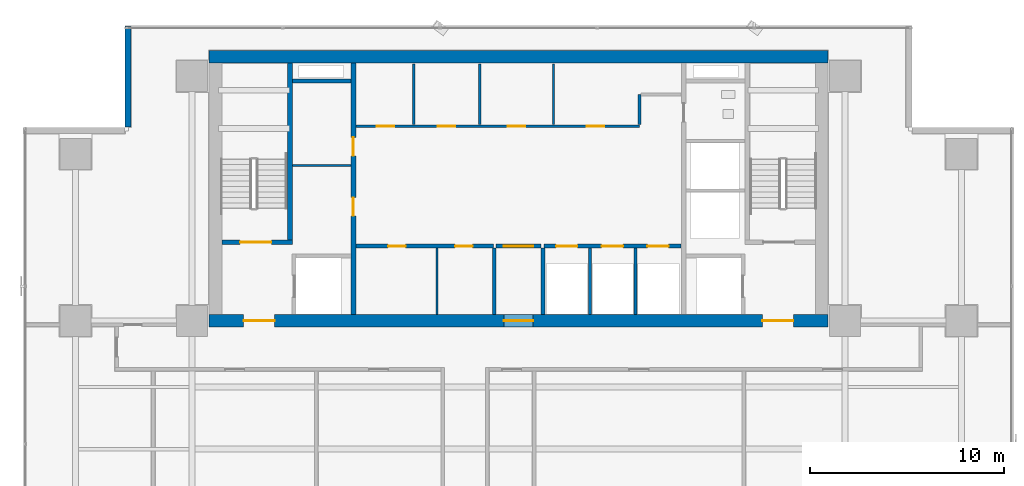
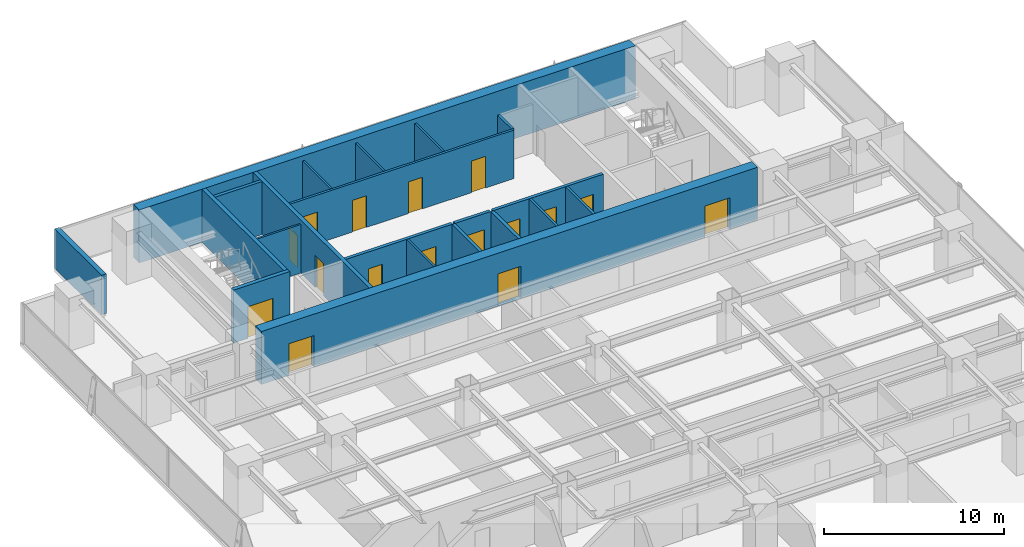
# One storey, part 29 of 36: 21 walls, 16 doors, 16 openings.
"""IFC4 building model written with IfcOpenShell, lengths in metres."""

from ifc_helpers import new_model, si_unit, direction, frame, frame_2d, origin, place, context, subcontext, project, spatial, rectangle, extrude, source, transform, mapped, material, layer, layer_set, type_object, element, fill, save


model = new_model("IFC4")

# Units and contexts
model_context = context("Model", 3, precision=1e-05, world=origin(), true_north=direction((0.0, 1.0)))
body_context = subcontext(model_context, "Body", "Model", "MODEL_VIEW")
ifc_project = project(units=[si_unit("LENGTHUNIT", "METRE"), si_unit("AREAUNIT", "SQUARE_METRE"), si_unit("VOLUMEUNIT", "CUBIC_METRE"), si_unit("PLANEANGLEUNIT", "RADIAN"), si_unit("MASSUNIT", "GRAM", prefix="KILO")], contexts=[model_context])

# Site, building, storey
site_placement = place(None, origin())
site = spatial("IfcSite", under=ifc_project, at=site_placement, CompositionType="ELEMENT")
building_placement = place(site_placement, origin())
building = spatial("IfcBuilding", under=site, at=building_placement, Name="Sumidabori Civic Tower", CompositionType="ELEMENT")
storey_placement = place(building_placement, frame((0.0, 0.0, 120.800048828125)))
storey = spatial("IfcBuildingStorey", under=building, at=storey_placement, Name="L31", CompositionType="ELEMENT", Elevation=120.800048828125)

# Walls
ifc_material_1 = material(Name="Concrete C50/60", Category="concrete")
ifc_layer_1 = layer(ifc_material_1, 0.199951171875, Name="Concrete C50/60")
ifc_layer_set_1 = layer_set([ifc_layer_1], Name="Concrete C50/60")
wall_type_1 = type_object("IfcWallType", Name="WL-SHAFT-200", PredefinedType="SHEAR", material=ifc_layer_set_1)
shared_shape_1 = source(origin(), body_context, "Body", "SweptSolid", [
    extrude(rectangle(XDim=3.02001953125, YDim=0.199951171875, at=frame_2d((1.510009765625, 0.0))), origin(), (0.0, 0.0, 1.0), 3.599853515625),
])
wall_1_placement = place(storey_placement, frame((-11.64501953125, 22.550048828125, 0.0), z_axis=(0.0, 0.0, 1.0), x_axis=(1.0, 0.0, 0.0)))
element("IfcWall", 1, at=wall_1_placement, inside=storey, type_object=wall_type_1, Name="Core Shear Wall L31 RIS1-S", PredefinedType="SHEAR", context=body_context, shape_type="MappedRepresentation", body=[
    mapped(shared_shape_1, transform((0.0, 0.0, 0.0), x_axis=(1.0, 0.0, 0.0), y_axis=(0.0, 1.0, 0.0), z_axis=(0.0, 0.0, 1.0), scale=1.0)),
])
ifc_material_2 = material(Name="Concrete C60/75", Category="concrete")
ifc_layer_2 = layer(ifc_material_2, 0.64990234375, Name="Concrete C60/75")
ifc_layer_set_2 = layer_set([ifc_layer_2], Name="Concrete C60/75")
wall_type_2 = type_object("IfcWallType", Name="WL-CORE-650", PredefinedType="SHEAR", material=ifc_layer_set_2)
shared_shape_2 = source(origin(), body_context, "Body", "SweptSolid", [
    extrude(rectangle(XDim=31.85009765625, YDim=0.64990234375, at=frame_2d((15.925048828125, 0.0))), origin(), (0.0, 0.0, 1.0), 3.599853515625),
])
wall_2_placement = place(storey_placement, frame((-15.925048828125, 23.800048828125, 0.0), z_axis=(0.0, 0.0, 1.0), x_axis=(1.0, 0.0, 0.0)))
element("IfcWall", 2, at=wall_2_placement, inside=storey, type_object=wall_type_2, Name="Core Shear Wall L31 N", PredefinedType="SHEAR", context=body_context, shape_type="MappedRepresentation", body=[
    mapped(shared_shape_2, transform((0.0, 0.0, 0.0), x_axis=(1.0, 0.0, 0.0), y_axis=(0.0, 1.0, 0.0), z_axis=(0.0, 0.0, 1.0), scale=1.0)),
])

# Wall, openings, doors
wall_3_placement = place(storey_placement, frame((-15.925048828125, 10.199951171875, 0.0), z_axis=(0.0, 0.0, 1.0), x_axis=(1.0, 0.0, 0.0)))
wall_3 = element("IfcWall", 3, at=wall_3_placement, inside=storey, type_object=wall_type_2, Name="Core Shear Wall L31 S", PredefinedType="SHEAR", context=body_context, shape_type="MappedRepresentation", body=[
    mapped(shared_shape_2, transform((0.0, 0.0, 0.0), x_axis=(1.0, 0.0, 0.0), y_axis=(0.0, 1.0, 0.0), z_axis=(0.0, 0.0, 1.0), scale=1.0)),
])
opening_1_placement = place(wall_3_placement, frame((1.77490234375, 0.0, 0.0)))
opening_1 = element("IfcOpeningElement", 4, at=opening_1_placement, cuts=wall_3, Name="Opening DR-FD4", PredefinedType="OPENING", context=body_context, shape_type="SweptSolid", body=[
    extrude(rectangle(XDim=1.60009765625, YDim=2.14990234375, at=frame_2d((0.800048828125, 1.074951171875))), frame((0.0, 0.3369140625, 0.0), z_axis=(0.0, -1.0, 0.0), x_axis=(1.0, 0.0, 0.0)), (0.0, 0.0, 1.0), 0.673828125),
])
opening_2_placement = place(wall_3_placement, frame((28.47509765625, 0.0, 0.0)))
opening_2 = element("IfcOpeningElement", 5, at=opening_2_placement, cuts=wall_3, Name="Opening DR-FD4", PredefinedType="OPENING", context=body_context, shape_type="SweptSolid", body=[
    extrude(rectangle(XDim=1.60009765625, YDim=2.14990234375, at=frame_2d((0.800048828125, 1.074951171875))), frame((0.0, 0.3369140625, 0.0), z_axis=(0.0, -1.0, 0.0), x_axis=(1.0, 0.0, 0.0)), (0.0, 0.0, 1.0), 0.673828125),
])
opening_3_placement = place(wall_3_placement, frame((15.175048828125, 0.0, 0.0)))
opening_3 = element("IfcOpeningElement", 6, at=opening_3_placement, cuts=wall_3, Name="Opening DR-FD3", PredefinedType="OPENING", context=body_context, shape_type="SweptSolid", body=[
    extrude(rectangle(XDim=1.5, YDim=2.199951171875, at=frame_2d((0.75, 1.10009765625))), frame((0.0, 0.3369140625, 0.0), z_axis=(0.0, -1.0, 0.0), x_axis=(1.0, 0.0, 0.0)), (0.0, 0.0, 1.0), 0.673828125),
])
ifc_material_3 = material(Name="Steel SN490", Category="steel")
door_type_1 = type_object("IfcDoorType", Name="DR-FD4", OperationType="DOUBLE_DOOR_SINGLE_SWING", PredefinedType="DOOR", material=ifc_material_3)
shared_shape_3 = source(origin(), body_context, "Body", "SweptSolid", [
    extrude(rectangle(XDim=1.60009765625, YDim=2.14990234375, at=frame_2d((0.800048828125, 1.074951171875))), frame((0.0, 0.02490234375, 0.0), z_axis=(0.0, -1.0, 0.0), x_axis=(1.0, 0.0, 0.0)), (0.0, 0.0, 1.0), 0.050048828125),
])
door_1_placement = place(opening_1_placement, origin())
door_1 = element("IfcDoor", 7, at=door_1_placement, inside=storey, type_object=door_type_1, Name="Door DR:L31:ELOB-W", OperationType="DOUBLE_DOOR_SINGLE_SWING", OverallHeight=2.14990234375, OverallWidth=1.60009765625, PredefinedType="DOOR", context=body_context, shape_type="MappedRepresentation", body=[
    mapped(shared_shape_3, transform((0.0, 0.0, 0.0), x_axis=(1.0, 0.0, 0.0), y_axis=(0.0, 1.0, 0.0), z_axis=(0.0, 0.0, 1.0), scale=1.0)),
])
fill(opening_1, door_1)
door_2_placement = place(opening_2_placement, origin())
door_2 = element("IfcDoor", 8, at=door_2_placement, inside=storey, type_object=door_type_1, Name="Door DR:L31:ELOB-E", OperationType="DOUBLE_DOOR_SINGLE_SWING", OverallHeight=2.14990234375, OverallWidth=1.60009765625, PredefinedType="DOOR", context=body_context, shape_type="MappedRepresentation", body=[
    mapped(shared_shape_3, transform((0.0, 0.0, 0.0), x_axis=(1.0, 0.0, 0.0), y_axis=(0.0, 1.0, 0.0), z_axis=(0.0, 0.0, 1.0), scale=1.0)),
])
fill(opening_2, door_2)
door_type_2 = type_object("IfcDoorType", Name="DR-FD-DBL", OperationType="DOUBLE_DOOR_SINGLE_SWING", PredefinedType="DOOR", material=ifc_material_3)
shared_shape_4 = source(origin(), body_context, "Body", "SweptSolid", [
    extrude(rectangle(XDim=1.5, YDim=2.199951171875, at=frame_2d((0.75, 1.10009765625))), frame((0.0, 0.02490234375, 0.0), z_axis=(0.0, -1.0, 0.0), x_axis=(1.0, 0.0, 0.0)), (0.0, 0.0, 1.0), 0.050048828125),
])
door_3_placement = place(opening_3_placement, origin())
door_3 = element("IfcDoor", 9, at=door_3_placement, inside=storey, type_object=door_type_2, Name="Door DR:L31:THROAT-OUT", OperationType="DOUBLE_DOOR_SINGLE_SWING", OverallHeight=2.199951171875, OverallWidth=1.5, PredefinedType="DOOR", context=body_context, shape_type="MappedRepresentation", body=[
    mapped(shared_shape_4, transform((0.0, 0.0, 0.0), x_axis=(1.0, 0.0, 0.0), y_axis=(0.0, 1.0, 0.0), z_axis=(0.0, 0.0, 1.0), scale=1.0)),
])
fill(opening_3, door_3)

ifc_layer_3 = layer(ifc_material_1, 0.25, Name="Concrete C50/60")
ifc_layer_set_3 = layer_set([ifc_layer_3], Name="Concrete C50/60")
wall_type_3 = type_object("IfcWallType", Name="WL-SHAFT-250", PredefinedType="SHEAR", material=ifc_layer_set_3)
shared_shape_5 = source(origin(), body_context, "Body", "SweptSolid", [
    extrude(rectangle(XDim=12.9501953125, YDim=0.25, at=frame_2d((6.47509765625, 0.0))), origin(), (0.0, 0.0, 1.0), 3.599853515625),
])
wall_4_placement = place(storey_placement, frame((-8.5, 10.52490234375, 0.0), z_axis=(0.0, 0.0, 1.0), x_axis=(0.0, 1.0, 0.0)))
wall_4 = element("IfcWall", 10, at=wall_4_placement, inside=storey, type_object=wall_type_3, Name="Core Shear Wall L31 WEB-W", PredefinedType="SHEAR", context=body_context, shape_type="MappedRepresentation", body=[
    mapped(shared_shape_5, transform((0.0, 0.0, 0.0), x_axis=(1.0, 0.0, 0.0), y_axis=(0.0, 1.0, 0.0), z_axis=(0.0, 0.0, 1.0), scale=1.0)),
])
opening_4_placement = place(wall_4_placement, frame((5.074951171875, 0.0, 0.0)))
opening_4 = element("IfcOpeningElement", 11, at=opening_4_placement, cuts=wall_4, Name="Opening DR-FD2", PredefinedType="OPENING", context=body_context, shape_type="SweptSolid", body=[
    extrude(rectangle(XDim=0.949951171875, YDim=2.14990234375, at=frame_2d((0.47509765625, 1.074951171875))), frame((0.0, 0.136962890625, 0.0), z_axis=(0.0, -1.0, 0.0), x_axis=(1.0, 0.0, 0.0)), (0.0, 0.0, 1.0), 0.27392578125),
])
opening_5_placement = place(wall_4_placement, frame((8.175048828125, 0.0, 0.0)))
opening_5 = element("IfcOpeningElement", 12, at=opening_5_placement, cuts=wall_4, Name="Opening DR-FD2", PredefinedType="OPENING", context=body_context, shape_type="SweptSolid", body=[
    extrude(rectangle(XDim=0.949951171875, YDim=2.14990234375, at=frame_2d((0.47509765625, 1.074951171875))), frame((0.0, 0.136962890625, 0.0), z_axis=(0.0, -1.0, 0.0), x_axis=(1.0, 0.0, 0.0)), (0.0, 0.0, 1.0), 0.27392578125),
])
door_type_3 = type_object("IfcDoorType", Name="DR-FD2", OperationType="NOTDEFINED", PredefinedType="DOOR", material=ifc_material_3)
shared_shape_6 = source(origin(), body_context, "Body", "SweptSolid", [
    extrude(rectangle(XDim=0.949951171875, YDim=2.14990234375, at=frame_2d((0.47509765625, 1.074951171875))), frame((0.0, 0.02490234375, 0.0), z_axis=(0.0, -1.0, 0.0), x_axis=(1.0, 0.0, 0.0)), (0.0, 0.0, 1.0), 0.050048828125),
])
door_4_placement = place(opening_4_placement, origin())
door_4 = element("IfcDoor", 13, at=door_4_placement, inside=storey, type_object=door_type_3, Name="Door DR:L31:CW-S1", OperationType="SINGLE_SWING_LEFT", OverallHeight=2.14990234375, OverallWidth=0.949951171875, PredefinedType="DOOR", context=body_context, shape_type="MappedRepresentation", body=[
    mapped(shared_shape_6, transform((0.0, 0.0, 0.0), x_axis=(1.0, 0.0, 0.0), y_axis=(0.0, 1.0, 0.0), z_axis=(0.0, 0.0, 1.0), scale=1.0)),
])
fill(opening_4, door_4)
door_5_placement = place(opening_5_placement, origin())
door_5 = element("IfcDoor", 14, at=door_5_placement, inside=storey, type_object=door_type_3, Name="Door DR:L31:CW-S2", OperationType="SINGLE_SWING_RIGHT", OverallHeight=2.14990234375, OverallWidth=0.949951171875, PredefinedType="DOOR", context=body_context, shape_type="MappedRepresentation", body=[
    mapped(shared_shape_6, transform((0.0, 0.0, 0.0), x_axis=(1.0, 0.0, 0.0), y_axis=(0.0, 1.0, 0.0), z_axis=(0.0, 0.0, 1.0), scale=1.0)),
])
fill(opening_5, door_5)

# Wall, opening, door
shared_shape_7 = source(origin(), body_context, "Body", "SweptSolid", [
    extrude(rectangle(XDim=3.6298828125, YDim=0.25, at=frame_2d((1.81494140625, 0.0))), origin(), (0.0, 0.0, 1.0), 3.599853515625),
])
wall_5_placement = place(storey_placement, frame((-15.27490234375, 14.25, 0.0), z_axis=(0.0, 0.0, 1.0), x_axis=(1.0, 0.0, 0.0)))
wall_5 = element("IfcWall", 15, at=wall_5_placement, inside=storey, type_object=wall_type_3, Name="Core Shear Wall L31 ST1-S", PredefinedType="SHEAR", context=body_context, shape_type="MappedRepresentation", body=[
    mapped(shared_shape_7, transform((0.0, 0.0, 0.0), x_axis=(1.0, 0.0, 0.0), y_axis=(0.0, 1.0, 0.0), z_axis=(0.0, 0.0, 1.0), scale=1.0)),
])
opening_6_placement = place(wall_5_placement, frame((0.949951171875, 0.0, 0.0)))
opening_6 = element("IfcOpeningElement", 16, at=opening_6_placement, cuts=wall_5, Name="Opening DR-FD4", PredefinedType="OPENING", context=body_context, shape_type="SweptSolid", body=[
    extrude(rectangle(XDim=1.60009765625, YDim=2.14990234375, at=frame_2d((0.800048828125, 1.074951171875))), frame((0.0, 0.136962890625, 0.0), z_axis=(0.0, -1.0, 0.0), x_axis=(1.0, 0.0, 0.0)), (0.0, 0.0, 1.0), 0.27392578125),
])
door_6_placement = place(opening_6_placement, origin())
door_6 = element("IfcDoor", 17, at=door_6_placement, inside=storey, type_object=door_type_1, Name="Door DR:L31:ST1", OperationType="DOUBLE_DOOR_SINGLE_SWING", OverallHeight=2.14990234375, OverallWidth=1.60009765625, PredefinedType="DOOR", context=body_context, shape_type="MappedRepresentation", body=[
    mapped(shared_shape_3, transform((0.0, 0.0, 0.0), x_axis=(1.0, 0.0, 0.0), y_axis=(0.0, 1.0, 0.0), z_axis=(0.0, 0.0, 1.0), scale=1.0)),
])
fill(opening_6, door_6)

# Walls
shared_shape_8 = source(origin(), body_context, "Body", "SweptSolid", [
    extrude(rectangle(XDim=9.10009765625, YDim=0.25, at=frame_2d((4.550048828125, 0.0))), origin(), (0.0, 0.0, 1.0), 3.599853515625),
])
wall_6_placement = place(storey_placement, frame((-11.77001953125, 14.375, 0.0), z_axis=(0.0, 0.0, 1.0), x_axis=(0.0, 1.0, 0.0)))
element("IfcWall", 18, at=wall_6_placement, inside=storey, type_object=wall_type_3, Name="Core Shear Wall L31 ST1-E", PredefinedType="SHEAR", context=body_context, shape_type="MappedRepresentation", body=[
    mapped(shared_shape_8, transform((0.0, 0.0, 0.0), x_axis=(1.0, 0.0, 0.0), y_axis=(0.0, 1.0, 0.0), z_axis=(0.0, 0.0, 1.0), scale=1.0)),
])
ifc_material_4 = material(Name="Precast concrete C40/50", Category="concrete")
ifc_layer_4 = layer(ifc_material_4, 0.300048828125, Name="Precast concrete C40/50")
ifc_layer_set_4 = layer_set([ifc_layer_4], Name="Precast concrete C40/50")
wall_type_4 = type_object("IfcWallType", Name="WL-EXT-POD300", PredefinedType="STANDARD", material=ifc_layer_set_4)
shared_shape_9 = source(origin(), body_context, "Body", "SweptSolid", [
    extrude(rectangle(XDim=5.2099609375, YDim=0.300048828125, at=frame_2d((2.60498046875, 0.0))), origin(), (0.0, 0.0, 1.0), 2.679931640625),
])
wall_7_placement = place(storey_placement, frame((-20.10009765625, 25.3798828125, 0.0), z_axis=(0.0, 0.0, 1.0), x_axis=(0.0, -1.0, 0.0)))
element("IfcWall", 19, at=wall_7_placement, inside=storey, type_object=wall_type_4, Name="Notched Corner Spandrel Band L31-08", PredefinedType="STANDARD", context=body_context, shape_type="MappedRepresentation", body=[
    mapped(shared_shape_9, transform((0.0, 0.0, 0.0), x_axis=(1.0, 0.0, 0.0), y_axis=(0.0, 1.0, 0.0), z_axis=(0.0, 0.0, 1.0), scale=1.0)),
])

# Wall, openings, doors
ifc_material_5 = material(Name="Gypsum Plasterboard Fire Partition")
ifc_layer_5 = layer(ifc_material_5, 0.199951171875, Name="Gypsum Plasterboard Fire Partition")
ifc_layer_set_5 = layer_set([ifc_layer_5], Name="Gypsum Plasterboard Fire Partition")
wall_type_5 = type_object("IfcWallType", Name="WL-PART-FIRE", PredefinedType="PARTITIONING", material=ifc_layer_set_5)
shared_shape_10 = source(origin(), body_context, "Body", "SweptSolid", [
    extrude(rectangle(XDim=7.070068359375, YDim=0.199951171875, at=frame_2d((3.53515625, 0.0))), origin(), (0.0, 0.0, 1.0), 3.300048828125),
])
wall_8_placement = place(storey_placement, frame((-8.3701171875, 14.050048828125, 0.0), z_axis=(0.0, 0.0, 1.0), x_axis=(1.0, 0.0, 0.0)))
wall_8 = element("IfcWall", 20, at=wall_8_placement, inside=storey, type_object=wall_type_5, Name="Interior Partition WL:L31:CBAND-SW", PredefinedType="PARTITIONING", context=body_context, shape_type="MappedRepresentation", body=[
    mapped(shared_shape_10, transform((0.0, 0.0, 0.0), x_axis=(1.0, 0.0, 0.0), y_axis=(0.0, 1.0, 0.0), z_axis=(0.0, 0.0, 1.0), scale=1.0)),
])
opening_7_placement = place(wall_8_placement, frame((1.659912109375, 0.0, 0.0)))
opening_7 = element("IfcOpeningElement", 21, at=opening_7_placement, cuts=wall_8, Name="Opening DR-1", PredefinedType="OPENING", context=body_context, shape_type="SweptSolid", body=[
    extrude(rectangle(XDim=0.89990234375, YDim=2.14990234375, at=frame_2d((0.449951171875, 1.074951171875))), frame((0.0, 0.11181640625, 0.0), z_axis=(0.0, -1.0, 0.0), x_axis=(1.0, 0.0, 0.0)), (0.0, 0.0, 1.0), 0.223876953125),
])
opening_8_placement = place(wall_8_placement, frame((5.110107421875, 0.0, 0.0)))
opening_8 = element("IfcOpeningElement", 22, at=opening_8_placement, cuts=wall_8, Name="Opening DR-1", PredefinedType="OPENING", context=body_context, shape_type="SweptSolid", body=[
    extrude(rectangle(XDim=0.89990234375, YDim=2.14990234375, at=frame_2d((0.449951171875, 1.074951171875))), frame((0.0, 0.11181640625, 0.0), z_axis=(0.0, -1.0, 0.0), x_axis=(1.0, 0.0, 0.0)), (0.0, 0.0, 1.0), 0.223876953125),
])
ifc_material_6 = material(Name="Japanese Hinoki Timber", Category="wood")
door_type_4 = type_object("IfcDoorType", Name="DR-INT-900", OperationType="NOTDEFINED", PredefinedType="DOOR", material=ifc_material_6)
shared_shape_11 = source(origin(), body_context, "Body", "SweptSolid", [
    extrude(rectangle(XDim=0.89990234375, YDim=2.14990234375, at=frame_2d((0.449951171875, 1.074951171875))), frame((0.0, 0.02490234375, 0.0), z_axis=(0.0, -1.0, 0.0), x_axis=(1.0, 0.0, 0.0)), (0.0, 0.0, 1.0), 0.050048828125),
])
door_7_placement = place(opening_7_placement, origin())
door_7 = element("IfcDoor", 23, at=door_7_placement, inside=storey, type_object=door_type_4, Name="Door DR:L31:REC-B1A", OperationType="SINGLE_SWING_LEFT", OverallHeight=2.14990234375, OverallWidth=0.89990234375, PredefinedType="DOOR", context=body_context, shape_type="MappedRepresentation", body=[
    mapped(shared_shape_11, transform((0.0, 0.0, 0.0), x_axis=(1.0, 0.0, 0.0), y_axis=(0.0, 1.0, 0.0), z_axis=(0.0, 0.0, 1.0), scale=1.0)),
])
fill(opening_7, door_7)
door_8_placement = place(opening_8_placement, origin())
door_8 = element("IfcDoor", 24, at=door_8_placement, inside=storey, type_object=door_type_4, Name="Door DR:L31:REC-B1B", OperationType="SINGLE_SWING_RIGHT", OverallHeight=2.14990234375, OverallWidth=0.89990234375, PredefinedType="DOOR", context=body_context, shape_type="MappedRepresentation", body=[
    mapped(shared_shape_11, transform((0.0, 0.0, 0.0), x_axis=(1.0, 0.0, 0.0), y_axis=(0.0, 1.0, 0.0), z_axis=(0.0, 0.0, 1.0), scale=1.0)),
])
fill(opening_8, door_8)

wall_9_placement = place(storey_placement, frame((1.300048828125, 14.050048828125, 0.0), z_axis=(0.0, 0.0, 1.0), x_axis=(1.0, 0.0, 0.0)))
wall_9 = element("IfcWall", 25, at=wall_9_placement, inside=storey, type_object=wall_type_5, Name="Interior Partition WL:L31:CBAND-SE", PredefinedType="PARTITIONING", context=body_context, shape_type="MappedRepresentation", body=[
    mapped(shared_shape_10, transform((0.0, 0.0, 0.0), x_axis=(1.0, 0.0, 0.0), y_axis=(0.0, 1.0, 0.0), z_axis=(0.0, 0.0, 1.0), scale=1.0)),
])
opening_9_placement = place(wall_9_placement, frame((0.6298828125, 0.0, 0.0)))
opening_9 = element("IfcOpeningElement", 26, at=opening_9_placement, cuts=wall_9, Name="Opening LD-1", PredefinedType="OPENING", context=body_context, shape_type="SweptSolid", body=[
    extrude(rectangle(XDim=1.10009765625, YDim=2.14990234375, at=frame_2d((0.550048828125, 1.074951171875))), frame((0.0, 0.11181640625, 0.0), z_axis=(0.0, -1.0, 0.0), x_axis=(1.0, 0.0, 0.0)), (0.0, 0.0, 1.0), 0.223876953125),
])
opening_10_placement = place(wall_9_placement, frame((2.97998046875, 0.0, 0.0)))
opening_10 = element("IfcOpeningElement", 27, at=opening_10_placement, cuts=wall_9, Name="Opening LD-1", PredefinedType="OPENING", context=body_context, shape_type="SweptSolid", body=[
    extrude(rectangle(XDim=1.10009765625, YDim=2.14990234375, at=frame_2d((0.550048828125, 1.074951171875))), frame((0.0, 0.11181640625, 0.0), z_axis=(0.0, -1.0, 0.0), x_axis=(1.0, 0.0, 0.0)), (0.0, 0.0, 1.0), 0.223876953125),
])
opening_11_placement = place(wall_9_placement, frame((5.330078125, 0.0, 0.0)))
opening_11 = element("IfcOpeningElement", 28, at=opening_11_placement, cuts=wall_9, Name="Opening LD-1", PredefinedType="OPENING", context=body_context, shape_type="SweptSolid", body=[
    extrude(rectangle(XDim=1.10009765625, YDim=2.14990234375, at=frame_2d((0.550048828125, 1.074951171875))), frame((0.0, 0.11181640625, 0.0), z_axis=(0.0, -1.0, 0.0), x_axis=(1.0, 0.0, 0.0)), (0.0, 0.0, 1.0), 0.223876953125),
])
ifc_material_7 = material(Name="Stainless Steel Hairline Finish", Category="steel")
door_type_5 = type_object("IfcDoorType", Name="DR-LD1", OperationType="DOUBLE_DOOR_SLIDING", PredefinedType="DOOR", material=ifc_material_7)
shared_shape_12 = source(origin(), body_context, "Body", "SweptSolid", [
    extrude(rectangle(XDim=1.10009765625, YDim=2.14990234375, at=frame_2d((0.550048828125, 1.074951171875))), frame((0.0, 0.02490234375, 0.0), z_axis=(0.0, -1.0, 0.0), x_axis=(1.0, 0.0, 0.0)), (0.0, 0.0, 1.0), 0.050048828125),
])
door_9_placement = place(opening_9_placement, origin())
door_9 = element("IfcDoor", 29, at=door_9_placement, inside=storey, type_object=door_type_5, Name="Door DR:L31:LD-PLM1", OperationType="DOUBLE_DOOR_SLIDING", OverallHeight=2.14990234375, OverallWidth=1.10009765625, PredefinedType="DOOR", context=body_context, shape_type="MappedRepresentation", body=[
    mapped(shared_shape_12, transform((0.0, 0.0, 0.0), x_axis=(1.0, 0.0, 0.0), y_axis=(0.0, 1.0, 0.0), z_axis=(0.0, 0.0, 1.0), scale=1.0)),
])
fill(opening_9, door_9)
door_10_placement = place(opening_10_placement, origin())
door_10 = element("IfcDoor", 30, at=door_10_placement, inside=storey, type_object=door_type_5, Name="Door DR:L31:LD-PLM2", OperationType="DOUBLE_DOOR_SLIDING", OverallHeight=2.14990234375, OverallWidth=1.10009765625, PredefinedType="DOOR", context=body_context, shape_type="MappedRepresentation", body=[
    mapped(shared_shape_12, transform((0.0, 0.0, 0.0), x_axis=(1.0, 0.0, 0.0), y_axis=(0.0, 1.0, 0.0), z_axis=(0.0, 0.0, 1.0), scale=1.0)),
])
fill(opening_10, door_10)
door_11_placement = place(opening_11_placement, origin())
door_11 = element("IfcDoor", 31, at=door_11_placement, inside=storey, type_object=door_type_5, Name="Door DR:L31:LD-PLM3", OperationType="DOUBLE_DOOR_SLIDING", OverallHeight=2.14990234375, OverallWidth=1.10009765625, PredefinedType="DOOR", context=body_context, shape_type="MappedRepresentation", body=[
    mapped(shared_shape_12, transform((0.0, 0.0, 0.0), x_axis=(1.0, 0.0, 0.0), y_axis=(0.0, 1.0, 0.0), z_axis=(0.0, 0.0, 1.0), scale=1.0)),
])
fill(opening_11, door_11)

# Wall, opening, door
shared_shape_13 = source(origin(), body_context, "Body", "SweptSolid", [
    extrude(rectangle(XDim=2.2998046875, YDim=0.199951171875, at=frame_2d((1.14990234375, 0.0))), origin(), (0.0, 0.0, 1.0), 3.300048828125),
])
wall_10_placement = place(storey_placement, frame((-1.14990234375, 14.050048828125, 0.0), z_axis=(0.0, 0.0, 1.0), x_axis=(1.0, 0.0, 0.0)))
wall_10 = element("IfcWall", 32, at=wall_10_placement, inside=storey, type_object=wall_type_5, Name="Interior Partition WL:L31:THROAT-N", PredefinedType="PARTITIONING", context=body_context, shape_type="MappedRepresentation", body=[
    mapped(shared_shape_13, transform((0.0, 0.0, 0.0), x_axis=(1.0, 0.0, 0.0), y_axis=(0.0, 1.0, 0.0), z_axis=(0.0, 0.0, 1.0), scale=1.0)),
])
opening_12_placement = place(wall_10_placement, frame((0.39990234375, 0.0, 0.0)))
opening_12 = element("IfcOpeningElement", 33, at=opening_12_placement, cuts=wall_10, Name="Opening DR-FD3", PredefinedType="OPENING", context=body_context, shape_type="SweptSolid", body=[
    extrude(rectangle(XDim=1.5, YDim=2.199951171875, at=frame_2d((0.75, 1.10009765625))), frame((0.0, 0.11181640625, 0.0), z_axis=(0.0, -1.0, 0.0), x_axis=(1.0, 0.0, 0.0)), (0.0, 0.0, 1.0), 0.223876953125),
])
door_12_placement = place(opening_12_placement, origin())
door_12 = element("IfcDoor", 34, at=door_12_placement, inside=storey, type_object=door_type_2, Name="Door DR:L31:THROAT-IN", OperationType="DOUBLE_DOOR_SINGLE_SWING", OverallHeight=2.199951171875, OverallWidth=1.5, PredefinedType="DOOR", context=body_context, shape_type="MappedRepresentation", body=[
    mapped(shared_shape_4, transform((0.0, 0.0, 0.0), x_axis=(1.0, 0.0, 0.0), y_axis=(0.0, 1.0, 0.0), z_axis=(0.0, 0.0, 1.0), scale=1.0)),
])
fill(opening_12, door_12)

# Wall, openings, doors
ifc_material_8 = material(Name="Gypsum Plasterboard Acoustic Partition")
ifc_layer_6 = layer(ifc_material_8, 0.14990234375, Name="Gypsum Plasterboard Acoustic Partition")
ifc_layer_set_6 = layer_set([ifc_layer_6], Name="Gypsum Plasterboard Acoustic Partition")
wall_type_6 = type_object("IfcWallType", Name="WL-PART-150", PredefinedType="PARTITIONING", material=ifc_layer_set_6)
shared_shape_14 = source(origin(), body_context, "Body", "SweptSolid", [
    extrude(rectangle(XDim=14.590087890625, YDim=0.14990234375, at=frame_2d((7.294921875, 0.0))), origin(), (0.0, 0.0, 1.0), 3.300048828125),
])
wall_11_placement = place(storey_placement, frame((-8.3701171875, 20.219970703125, 0.0), z_axis=(0.0, 0.0, 1.0), x_axis=(1.0, 0.0, 0.0)))
wall_11 = element("IfcWall", 35, at=wall_11_placement, inside=storey, type_object=wall_type_6, Name="Interior Partition WL:L31:CBAND-M", PredefinedType="PARTITIONING", context=body_context, shape_type="MappedRepresentation", body=[
    mapped(shared_shape_14, transform((0.0, 0.0, 0.0), x_axis=(1.0, 0.0, 0.0), y_axis=(0.0, 1.0, 0.0), z_axis=(0.0, 0.0, 1.0), scale=1.0)),
])
opening_13_placement = place(wall_11_placement, frame((1.06005859375, 0.0, 0.0)))
opening_13 = element("IfcOpeningElement", 36, at=opening_13_placement, cuts=wall_11, Name="Opening DR-1", PredefinedType="OPENING", context=body_context, shape_type="SweptSolid", body=[
    extrude(rectangle(XDim=0.89990234375, YDim=2.14990234375, at=frame_2d((0.449951171875, 1.074951171875))), frame((0.0, 0.0869140625, 0.0), z_axis=(0.0, -1.0, 0.0), x_axis=(1.0, 0.0, 0.0)), (0.0, 0.0, 1.0), 0.173828125),
])
opening_14_placement = place(wall_11_placement, frame((4.219970703125, 0.0, 0.0)))
opening_14 = element("IfcOpeningElement", 37, at=opening_14_placement, cuts=wall_11, Name="Opening DR-1", PredefinedType="OPENING", context=body_context, shape_type="SweptSolid", body=[
    extrude(rectangle(XDim=0.89990234375, YDim=2.14990234375, at=frame_2d((0.449951171875, 1.074951171875))), frame((0.0, 0.0869140625, 0.0), z_axis=(0.0, -1.0, 0.0), x_axis=(1.0, 0.0, 0.0)), (0.0, 0.0, 1.0), 0.173828125),
])
opening_15_placement = place(wall_11_placement, frame((7.820068359375, 0.0, 0.0)))
opening_15 = element("IfcOpeningElement", 38, at=opening_15_placement, cuts=wall_11, Name="Opening DR-1", PredefinedType="OPENING", context=body_context, shape_type="SweptSolid", body=[
    extrude(rectangle(XDim=0.89990234375, YDim=2.14990234375, at=frame_2d((0.449951171875, 1.074951171875))), frame((0.0, 0.0869140625, 0.0), z_axis=(0.0, -1.0, 0.0), x_axis=(1.0, 0.0, 0.0)), (0.0, 0.0, 1.0), 0.173828125),
])
opening_16_placement = place(wall_11_placement, frame((11.8701171875, 0.0, 0.0)))
opening_16 = element("IfcOpeningElement", 39, at=opening_16_placement, cuts=wall_11, Name="Opening DR-1", PredefinedType="OPENING", context=body_context, shape_type="SweptSolid", body=[
    extrude(rectangle(XDim=0.89990234375, YDim=2.14990234375, at=frame_2d((0.449951171875, 1.074951171875))), frame((0.0, 0.0869140625, 0.0), z_axis=(0.0, -1.0, 0.0), x_axis=(1.0, 0.0, 0.0)), (0.0, 0.0, 1.0), 0.173828125),
])
door_13_placement = place(opening_13_placement, origin())
door_13 = element("IfcDoor", 40, at=door_13_placement, inside=storey, type_object=door_type_4, Name="Door DR:L31:CB-1", OperationType="SINGLE_SWING_LEFT", OverallHeight=2.14990234375, OverallWidth=0.89990234375, PredefinedType="DOOR", context=body_context, shape_type="MappedRepresentation", body=[
    mapped(shared_shape_11, transform((0.0, 0.0, 0.0), x_axis=(1.0, 0.0, 0.0), y_axis=(0.0, 1.0, 0.0), z_axis=(0.0, 0.0, 1.0), scale=1.0)),
])
fill(opening_13, door_13)
door_14_placement = place(opening_14_placement, origin())
door_14 = element("IfcDoor", 41, at=door_14_placement, inside=storey, type_object=door_type_4, Name="Door DR:L31:CB-2", OperationType="SINGLE_SWING_RIGHT", OverallHeight=2.14990234375, OverallWidth=0.89990234375, PredefinedType="DOOR", context=body_context, shape_type="MappedRepresentation", body=[
    mapped(shared_shape_11, transform((0.0, 0.0, 0.0), x_axis=(1.0, 0.0, 0.0), y_axis=(0.0, 1.0, 0.0), z_axis=(0.0, 0.0, 1.0), scale=1.0)),
])
fill(opening_14, door_14)
door_15_placement = place(opening_15_placement, origin())
door_15 = element("IfcDoor", 42, at=door_15_placement, inside=storey, type_object=door_type_4, Name="Door DR:L31:CB-3", OperationType="SINGLE_SWING_LEFT", OverallHeight=2.14990234375, OverallWidth=0.89990234375, PredefinedType="DOOR", context=body_context, shape_type="MappedRepresentation", body=[
    mapped(shared_shape_11, transform((0.0, 0.0, 0.0), x_axis=(1.0, 0.0, 0.0), y_axis=(0.0, 1.0, 0.0), z_axis=(0.0, 0.0, 1.0), scale=1.0)),
])
fill(opening_15, door_15)
door_16_placement = place(opening_16_placement, origin())
door_16 = element("IfcDoor", 43, at=door_16_placement, inside=storey, type_object=door_type_4, Name="Door DR:L31:CB-4", OperationType="SINGLE_SWING_RIGHT", OverallHeight=2.14990234375, OverallWidth=0.89990234375, PredefinedType="DOOR", context=body_context, shape_type="MappedRepresentation", body=[
    mapped(shared_shape_11, transform((0.0, 0.0, 0.0), x_axis=(1.0, 0.0, 0.0), y_axis=(0.0, 1.0, 0.0), z_axis=(0.0, 0.0, 1.0), scale=1.0)),
])
fill(opening_16, door_16)

# Walls
shared_shape_15 = source(origin(), body_context, "Body", "SweptSolid", [
    extrude(rectangle(XDim=1.550048828125, YDim=0.14990234375, at=frame_2d((0.77490234375, 0.0))), origin(), (0.0, 0.0, 1.0), 3.300048828125),
])
wall_12_placement = place(storey_placement, frame((6.219970703125, 20.300048828125, 0.0), z_axis=(0.0, 0.0, 1.0), x_axis=(0.0, 1.0, 0.0)))
element("IfcWall", 44, at=wall_12_placement, inside=storey, type_object=wall_type_6, Name="Interior Partition WL:L31:CBAND-ME1", PredefinedType="PARTITIONING", context=body_context, shape_type="MappedRepresentation", body=[
    mapped(shared_shape_15, transform((0.0, 0.0, 0.0), x_axis=(1.0, 0.0, 0.0), y_axis=(0.0, 1.0, 0.0), z_axis=(0.0, 0.0, 1.0), scale=1.0)),
])
ifc_layer_7 = layer(ifc_material_8, 0.1201171875, Name="Gypsum Plasterboard Acoustic Partition")
ifc_layer_set_7 = layer_set([ifc_layer_7], Name="Gypsum Plasterboard Acoustic Partition")
wall_type_7 = type_object("IfcWallType", Name="WL-PART-120", PredefinedType="PARTITIONING", material=ifc_layer_set_7)
shared_shape_16 = source(origin(), body_context, "Body", "SweptSolid", [
    extrude(rectangle(XDim=3.010009765625, YDim=0.1201171875, at=frame_2d((1.5048828125, 0.0))), origin(), (0.0, 0.0, 1.0), 3.300048828125),
])
wall_13_placement = place(storey_placement, frame((-11.639892578125, 18.199951171875, 0.0), z_axis=(0.0, 0.0, 1.0), x_axis=(1.0, 0.0, 0.0)))
element("IfcWall", 45, at=wall_13_placement, inside=storey, type_object=wall_type_7, Name="Interior Partition WL:L31:CW-MID", PredefinedType="PARTITIONING", context=body_context, shape_type="MappedRepresentation", body=[
    mapped(shared_shape_16, transform((0.0, 0.0, 0.0), x_axis=(1.0, 0.0, 0.0), y_axis=(0.0, 1.0, 0.0), z_axis=(0.0, 0.0, 1.0), scale=1.0)),
])
shared_shape_17 = source(origin(), body_context, "Body", "SweptSolid", [
    extrude(rectangle(XDim=3.4150390625, YDim=0.199951171875, at=frame_2d((1.70751953125, 0.0))), origin(), (0.0, 0.0, 1.0), 3.300048828125),
])
for number, where, z_axis, x_axis, name in (
    (46, (-1.25, 10.52490234375, 0.0), (0.0, 0.0, 1.0), (0.0, 1.0, 0.0), "Interior Partition WL:L31:THROAT-W"),
    (47, (1.25, 10.52490234375, 0.0), (0.0, 0.0, 1.0), (0.0, 1.0, 0.0), "Interior Partition WL:L31:THROAT-E"),
):
    element("IfcWall", number, at=place(storey_placement, frame(where, z_axis=z_axis, x_axis=x_axis)), inside=storey, type_object=wall_type_5, Name=name, PredefinedType="PARTITIONING", context=body_context, shape_type="MappedRepresentation", body=[
        mapped(shared_shape_17, transform((0.0, 0.0, 0.0), x_axis=(1.0, 0.0, 0.0), y_axis=(0.0, 1.0, 0.0), z_axis=(0.0, 0.0, 1.0), scale=1.0)),
    ])
shared_shape_18 = source(origin(), body_context, "Body", "SweptSolid", [
    extrude(rectangle(XDim=3.4150390625, YDim=0.1201171875, at=frame_2d((1.70751953125, 0.0))), origin(), (0.0, 0.0, 1.0), 3.300048828125),
])
wall_14_placement = place(storey_placement, frame((-4.199951171875, 10.52490234375, 0.0), z_axis=(0.0, 0.0, 1.0), x_axis=(0.0, 1.0, 0.0)))
element("IfcWall", 48, at=wall_14_placement, inside=storey, type_object=wall_type_7, Name="Interior Partition WL:L31:REC-B1-SP", PredefinedType="PARTITIONING", context=body_context, shape_type="MappedRepresentation", body=[
    mapped(shared_shape_18, transform((0.0, 0.0, 0.0), x_axis=(1.0, 0.0, 0.0), y_axis=(0.0, 1.0, 0.0), z_axis=(0.0, 0.0, 1.0), scale=1.0)),
])
shared_shape_19 = source(origin(), body_context, "Body", "SweptSolid", [
    extrude(rectangle(XDim=3.4150390625, YDim=0.14990234375, at=frame_2d((1.70751953125, 0.0))), origin(), (0.0, 0.0, 1.0), 3.300048828125),
])
for number, where, z_axis, x_axis, name in (
    (49, (3.669921875, 10.52490234375, 0.0), (0.0, 0.0, 1.0), (0.0, 1.0, 0.0), "Interior Partition WL:L31:DIV-PLM1"),
    (50, (6.02001953125, 10.52490234375, 0.0), (0.0, 0.0, 1.0), (0.0, 1.0, 0.0), "Interior Partition WL:L31:DIV-PLM2"),
):
    element("IfcWall", number, at=place(storey_placement, frame(where, z_axis=z_axis, x_axis=x_axis)), inside=storey, type_object=wall_type_6, Name=name, PredefinedType="PARTITIONING", context=body_context, shape_type="MappedRepresentation", body=[
        mapped(shared_shape_19, transform((0.0, 0.0, 0.0), x_axis=(1.0, 0.0, 0.0), y_axis=(0.0, 1.0, 0.0), z_axis=(0.0, 0.0, 1.0), scale=1.0)),
    ])
shared_shape_20 = source(origin(), body_context, "Body", "SweptSolid", [
    extrude(rectangle(XDim=3.114990234375, YDim=0.1201171875, at=frame_2d((1.5576171875, 0.0))), origin(), (0.0, 0.0, 1.0), 3.300048828125),
])
for number, where, z_axis, x_axis, name in (
    (51, (-5.39990234375, 20.320068359375, 0.0), (0.0, 0.0, 1.0), (0.0, 1.0, 0.0), "Interior Partition WL:L31:LV8-S1"),
    (52, (-2.0, 20.320068359375, 0.0), (0.0, 0.0, 1.0), (0.0, 1.0, 0.0), "Interior Partition WL:L31:LV8-S2"),
    (53, (1.800048828125, 20.320068359375, 0.0), (0.0, 0.0, 1.0), (0.0, 1.0, 0.0), "Interior Partition WL:L31:LV8-S3"),
):
    element("IfcWall", number, at=place(storey_placement, frame(where, z_axis=z_axis, x_axis=x_axis)), inside=storey, type_object=wall_type_7, Name=name, PredefinedType="PARTITIONING", context=body_context, shape_type="MappedRepresentation", body=[
        mapped(shared_shape_20, transform((0.0, 0.0, 0.0), x_axis=(1.0, 0.0, 0.0), y_axis=(0.0, 1.0, 0.0), z_axis=(0.0, 0.0, 1.0), scale=1.0)),
    ])

save(model, "model.ifc")
